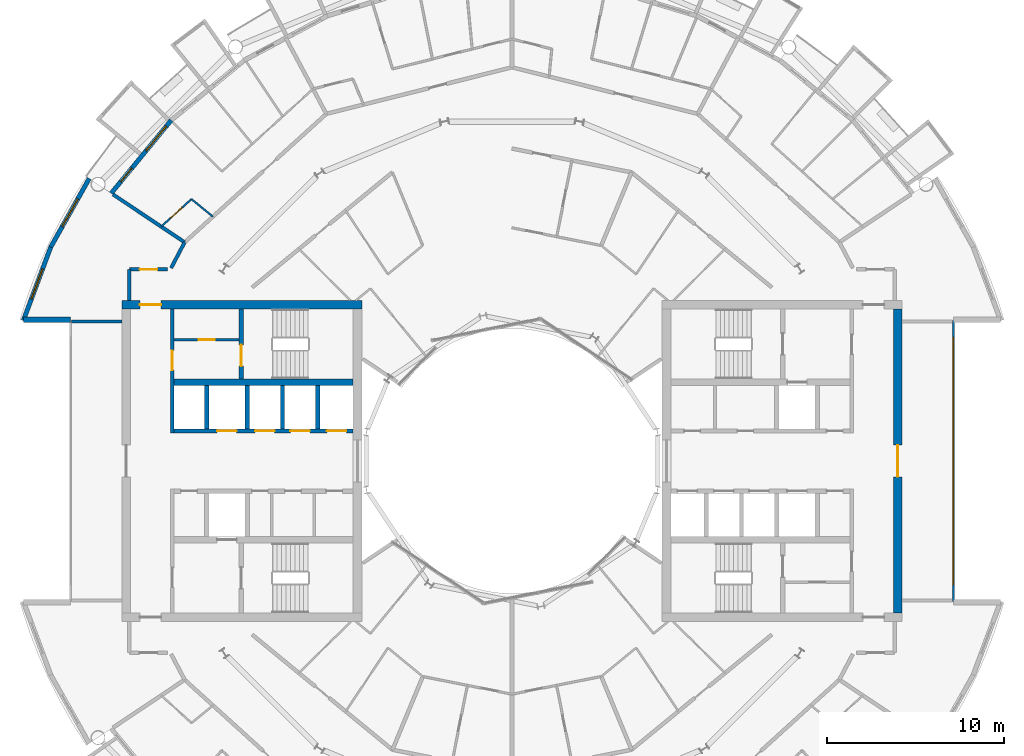
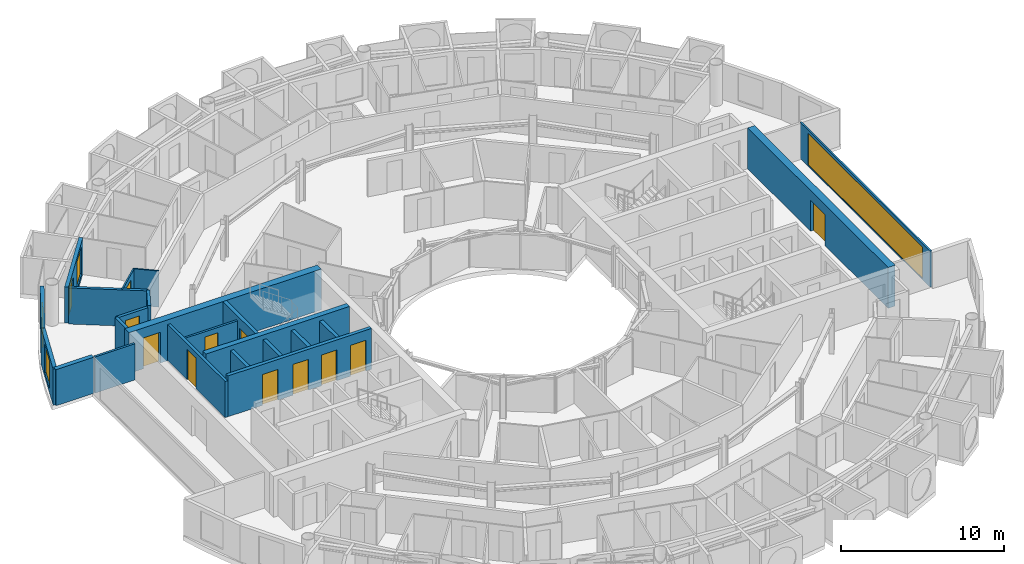
# One storey, part 19 of 26: 23 walls, 12 doors, 4 windows, 16 openings.
"""IFC4 building model written with IfcOpenShell, lengths in metres."""

from ifc_helpers import new_model, si_unit, direction, frame, frame_2d, origin, place, context, subcontext, project, spatial, rectangle, extrude, material, layer, layer_set, type_object, element, fill, save


model = new_model("IFC4")

# Units and contexts
model_context = context("Model", 3, precision=1e-05, world=origin(), true_north=direction((0.0, 1.0)))
body_context = subcontext(model_context, "Body", "Model", "MODEL_VIEW")
ifc_project = project(units=[si_unit("LENGTHUNIT", "METRE"), si_unit("AREAUNIT", "SQUARE_METRE"), si_unit("VOLUMEUNIT", "CUBIC_METRE"), si_unit("PLANEANGLEUNIT", "RADIAN"), si_unit("MASSUNIT", "GRAM", prefix="KILO")], contexts=[model_context])

# Site, building, storey
site_placement = place(None, origin())
site = spatial("IfcSite", under=ifc_project, at=site_placement, CompositionType="ELEMENT")
building_placement = place(site_placement, origin())
building = spatial("IfcBuilding", under=site, at=building_placement, Name="Maasbend Ring Residences", CompositionType="ELEMENT")
storey_placement = place(building_placement, frame((0.0, 0.0, 161.60009765625)))
storey = spatial("IfcBuildingStorey", under=building, at=storey_placement, Name="L46", CompositionType="ELEMENT", Elevation=161.60009765625)

# Wall, openings, doors
ifc_material_1 = material(Name="Concrete C60/75", Category="concrete")
ifc_layer_1 = layer(ifc_material_1, 0.25)
ifc_layer_set_1 = layer_set([ifc_layer_1], Name="Concrete C60/75")
wall_type_1 = type_object("IfcWallType", Name="CORE WALL 250 C60/75", PredefinedType="SHEAR", material=ifc_layer_set_1)
wall_1_placement = place(storey_placement, frame((-9.0, 1.699951171875, 0.0), z_axis=(0.0, 0.0, 1.0), x_axis=(-1.0, 0.0, 0.0)))
wall_1 = element("IfcWall", 1, at=wall_1_placement, inside=storey, type_object=wall_type_1, Name="L46 core W wall SPS", PredefinedType="SHEAR", context=body_context, shape_type="SweptSolid", body=[
    extrude(rectangle(XDim=10.14990234375, YDim=0.25, at=frame_2d((5.074951171875, 0.0))), origin(), (0.0, 0.0, 1.0), 3.0498046875),
])
opening_1_placement = place(wall_1_placement, frame((0.387451171875, 0.0, 0.0)))
opening_1 = element("IfcOpeningElement", 2, at=opening_1_placement, cuts=wall_1, Name="Opening LD-W4602", PredefinedType="OPENING", context=body_context, shape_type="SweptSolid", body=[
    extrude(rectangle(XDim=1.10009765625, YDim=2.300048828125, at=frame_2d((0.550048828125, 1.14990234375))), frame((0.0, 0.135009765625, 0.0), z_axis=(0.0, -1.0, 0.0), x_axis=(1.0, 0.0, 0.0)), (0.0, 0.0, 1.0), 0.27001953125),
])
opening_2_placement = place(wall_1_placement, frame((2.449951171875, 0.0, 0.0)))
opening_2 = element("IfcOpeningElement", 3, at=opening_2_placement, cuts=wall_1, Name="Opening LD-W4603", PredefinedType="OPENING", context=body_context, shape_type="SweptSolid", body=[
    extrude(rectangle(XDim=1.10009765625, YDim=2.300048828125, at=frame_2d((0.550048828125, 1.14990234375))), frame((0.0, 0.135009765625, 0.0), z_axis=(0.0, -1.0, 0.0), x_axis=(1.0, 0.0, 0.0)), (0.0, 0.0, 1.0), 0.27001953125),
])
opening_3_placement = place(wall_1_placement, frame((4.449951171875, 0.0, 0.0)))
opening_3 = element("IfcOpeningElement", 4, at=opening_3_placement, cuts=wall_1, Name="Opening LD-W4604", PredefinedType="OPENING", context=body_context, shape_type="SweptSolid", body=[
    extrude(rectangle(XDim=1.10009765625, YDim=2.300048828125, at=frame_2d((0.550048828125, 1.14990234375))), frame((0.0, 0.135009765625, 0.0), z_axis=(0.0, -1.0, 0.0), x_axis=(1.0, 0.0, 0.0)), (0.0, 0.0, 1.0), 0.27001953125),
])
opening_4_placement = place(wall_1_placement, frame((6.60009765625, 0.0, 0.0)))
opening_4 = element("IfcOpeningElement", 5, at=opening_4_placement, cuts=wall_1, Name="Opening LD-W4605", PredefinedType="OPENING", context=body_context, shape_type="SweptSolid", body=[
    extrude(rectangle(XDim=1.10009765625, YDim=2.300048828125, at=frame_2d((0.550048828125, 1.14990234375))), frame((0.0, 0.135009765625, 0.0), z_axis=(0.0, -1.0, 0.0), x_axis=(1.0, 0.0, 0.0)), (0.0, 0.0, 1.0), 0.27001953125),
])
ifc_material_2 = material(Name="Stainless steel 316", Category="steel")
door_type_1 = type_object("IfcDoorType", Name="LANDING DOOR 1100 X 2300 FD60", OperationType="DOUBLE_DOOR_SLIDING", PredefinedType="DOOR", material=ifc_material_2)
door_1_placement = place(opening_1_placement, origin())
door_1 = element("IfcDoor", 6, at=door_1_placement, inside=storey, type_object=door_type_1, Name="Landing door HR-W1 L46", OperationType="DOUBLE_DOOR_SLIDING", OverallHeight=2.300048828125, OverallWidth=1.10009765625, PredefinedType="DOOR", context=body_context, shape_type="SweptSolid", body=[
    extrude(rectangle(XDim=1.10009765625, YDim=2.300048828125, at=frame_2d((0.550048828125, 1.14990234375))), frame((0.0, 0.02490234375, 0.0), z_axis=(0.0, -1.0, 0.0), x_axis=(1.0, 0.0, 0.0)), (0.0, 0.0, 1.0), 0.050048828125),
])
fill(opening_1, door_1)
door_2_placement = place(opening_2_placement, origin())
door_2 = element("IfcDoor", 7, at=door_2_placement, inside=storey, type_object=door_type_1, Name="Landing door HR-W2 L46", OperationType="DOUBLE_DOOR_SLIDING", OverallHeight=2.300048828125, OverallWidth=1.10009765625, PredefinedType="DOOR", context=body_context, shape_type="SweptSolid", body=[
    extrude(rectangle(XDim=1.10009765625, YDim=2.300048828125, at=frame_2d((0.550048828125, 1.14990234375))), frame((0.0, 0.02490234375, 0.0), z_axis=(0.0, -1.0, 0.0), x_axis=(1.0, 0.0, 0.0)), (0.0, 0.0, 1.0), 0.050048828125),
])
fill(opening_2, door_2)
door_3_placement = place(opening_3_placement, origin())
door_3 = element("IfcDoor", 8, at=door_3_placement, inside=storey, type_object=door_type_1, Name="Landing door HR-W3 L46", OperationType="DOUBLE_DOOR_SLIDING", OverallHeight=2.300048828125, OverallWidth=1.10009765625, PredefinedType="DOOR", context=body_context, shape_type="SweptSolid", body=[
    extrude(rectangle(XDim=1.10009765625, YDim=2.300048828125, at=frame_2d((0.550048828125, 1.14990234375))), frame((0.0, 0.02490234375, 0.0), z_axis=(0.0, -1.0, 0.0), x_axis=(1.0, 0.0, 0.0)), (0.0, 0.0, 1.0), 0.050048828125),
])
fill(opening_3, door_3)
door_4_placement = place(opening_4_placement, origin())
door_4 = element("IfcDoor", 9, at=door_4_placement, inside=storey, type_object=door_type_1, Name="Landing door SV-W L46", OperationType="DOUBLE_DOOR_SLIDING", OverallHeight=2.300048828125, OverallWidth=1.10009765625, PredefinedType="DOOR", context=body_context, shape_type="SweptSolid", body=[
    extrude(rectangle(XDim=1.10009765625, YDim=2.300048828125, at=frame_2d((0.550048828125, 1.14990234375))), frame((0.0, 0.02490234375, 0.0), z_axis=(0.0, -1.0, 0.0), x_axis=(1.0, 0.0, 0.0)), (0.0, 0.0, 1.0), 0.050048828125),
])
fill(opening_4, door_4)

# Wall, opening, door
wall_2_placement = place(storey_placement, frame((-15.324951171875, 8.60009765625, 0.0), z_axis=(0.0, 0.0, 1.0), x_axis=(0.0, -1.0, 0.0)))
wall_2 = element("IfcWall", 10, at=wall_2_placement, inside=storey, type_object=wall_type_1, Name="L46 core W wall STES", PredefinedType="SHEAR", context=body_context, shape_type="SweptSolid", body=[
    extrude(rectangle(XDim=3.9501953125, YDim=0.25, at=frame_2d((1.97509765625, 0.0))), origin(), (0.0, 0.0, 1.0), 3.0498046875),
])
opening_5_placement = place(wall_2_placement, frame((2.02490234375, 0.0, 0.0)))
opening_5 = element("IfcOpeningElement", 11, at=opening_5_placement, cuts=wall_2, Name="Opening D-W4612", PredefinedType="OPENING", context=body_context, shape_type="SweptSolid", body=[
    extrude(rectangle(XDim=1.199951171875, YDim=2.300048828125, at=frame_2d((0.60009765625, 1.14990234375))), frame((0.0, 0.135009765625, 0.0), z_axis=(0.0, -1.0, 0.0), x_axis=(1.0, 0.0, 0.0)), (0.0, 0.0, 1.0), 0.27001953125),
])
ifc_material_3 = material(Name="Steel, powder coated", Category="steel")
door_type_2 = type_object("IfcDoorType", Name="STAIR DOOR 1200 X 2300 FD60", OperationType="NOTDEFINED", PredefinedType="DOOR", material=ifc_material_3)
door_5_placement = place(opening_5_placement, origin())
door_5 = element("IfcDoor", 12, at=door_5_placement, inside=storey, type_object=door_type_2, Name="Stair door ST-W L46", OperationType="SINGLE_SWING_LEFT", OverallHeight=2.300048828125, OverallWidth=1.199951171875, PredefinedType="DOOR", context=body_context, shape_type="SweptSolid", body=[
    extrude(rectangle(XDim=1.199951171875, YDim=2.300048828125, at=frame_2d((0.60009765625, 1.14990234375))), frame((0.0, 0.02490234375, 0.0), z_axis=(0.0, -1.0, 0.0), x_axis=(1.0, 0.0, 0.0)), (0.0, 0.0, 1.0), 0.050048828125),
])
fill(opening_5, door_5)

# Wall
ifc_material_4 = material(Name="Concrete C60/75", Category="concrete")
ifc_layer_2 = layer(ifc_material_4, 0.375)
ifc_layer_set_2 = layer_set([ifc_layer_2], Name="Concrete C60/75")
wall_type_2 = type_object("IfcWallType", Name="CORE WALL 375 C60/75", PredefinedType="SHEAR", material=ifc_layer_set_2)
wall_3_placement = place(storey_placement, frame((-9.0, 4.46240234375, 0.0), z_axis=(0.0, 0.0, 1.0), x_axis=(-1.0, 0.0, 0.0)))
element("IfcWall", 13, at=wall_3_placement, inside=storey, type_object=wall_type_2, Name="L46 core W wall BS", PredefinedType="SHEAR", context=body_context, shape_type="SweptSolid", body=[
    extrude(rectangle(XDim=10.14990234375, YDim=0.375, at=frame_2d((5.074951171875, 0.0))), origin(), (0.0, 0.0, 1.0), 3.0498046875),
])

# Wall, opening, door
ifc_material_5 = material(Name="Concrete C60/75", Category="concrete")
ifc_layer_3 = layer(ifc_material_5, 0.5)
ifc_layer_set_3 = layer_set([ifc_layer_3], Name="Concrete C60/75")
wall_type_3 = type_object("IfcWallType", Name="CORE WALL 500 C60/75", PredefinedType="SHEAR", material=ifc_layer_set_3)
wall_4_placement = place(storey_placement, frame((21.85009765625, 8.60009765625, 0.0), z_axis=(0.0, 0.0, 1.0), x_axis=(0.0, -1.0, 0.0)))
wall_4 = element("IfcWall", 14, at=wall_4_placement, inside=storey, type_object=wall_type_3, Name="L46 core E wall POUT", PredefinedType="SHEAR", context=body_context, shape_type="SweptSolid", body=[
    extrude(rectangle(XDim=17.2001953125, YDim=0.5, at=frame_2d((8.60009765625, 0.0))), origin(), (0.0, 0.0, 1.0), 3.0498046875),
])
opening_6_placement = place(wall_4_placement, frame((7.699951171875, 0.0, 0.0)))
opening_6 = element("IfcOpeningElement", 15, at=opening_6_placement, cuts=wall_4, Name="Opening D-E4617", PredefinedType="OPENING", context=body_context, shape_type="SweptSolid", body=[
    extrude(rectangle(XDim=1.800048828125, YDim=2.300048828125, at=frame_2d((0.89990234375, 1.14990234375))), frame((0.0, 0.260009765625, 0.0), z_axis=(0.0, -1.0, 0.0), x_axis=(1.0, 0.0, 0.0)), (0.0, 0.0, 1.0), 0.52001953125),
])
ifc_material_6 = material(Name="Aluminium frame, clear glass", Category="aluminium")
door_type_3 = type_object("IfcDoorType", Name="ENTRANCE DOOR 1800 X 2300 FD60", OperationType="NOTDEFINED", PredefinedType="DOOR", material=ifc_material_6)
door_6_placement = place(opening_6_placement, origin())
door_6 = element("IfcDoor", 16, at=door_6_placement, inside=storey, type_object=door_type_3, Name="Lobby glazed door L46", OperationType="SINGLE_SWING_LEFT", OverallHeight=2.300048828125, OverallWidth=1.800048828125, PredefinedType="DOOR", context=body_context, shape_type="SweptSolid", body=[
    extrude(rectangle(XDim=1.800048828125, YDim=2.300048828125, at=frame_2d((0.89990234375, 1.14990234375))), frame((0.0, 0.02490234375, 0.0), z_axis=(0.0, -1.0, 0.0), x_axis=(1.0, 0.0, 0.0)), (0.0, 0.0, 1.0), 0.050048828125),
])
fill(opening_6, door_6)

wall_5_placement = place(storey_placement, frame((-8.5, 8.85009765625, 0.0), z_axis=(0.0, 0.0, 1.0), x_axis=(-1.0, 0.0, 0.0)))
wall_5 = element("IfcWall", 17, at=wall_5_placement, inside=storey, type_object=wall_type_3, Name="L46 core W wall PS", PredefinedType="SHEAR", context=body_context, shape_type="SweptSolid", body=[
    extrude(rectangle(XDim=13.60009765625, YDim=0.5, at=frame_2d((6.800048828125, 0.0))), origin(), (0.0, 0.0, 1.0), 3.0498046875),
])
opening_7_placement = place(wall_5_placement, frame((11.375, 0.0, 0.0)))
opening_7 = element("IfcOpeningElement", 18, at=opening_7_placement, cuts=wall_5, Name="Opening D-W4616", PredefinedType="OPENING", context=body_context, shape_type="SweptSolid", body=[
    extrude(rectangle(XDim=1.199951171875, YDim=2.300048828125, at=frame_2d((0.60009765625, 1.14990234375))), frame((0.0, 0.260009765625, 0.0), z_axis=(0.0, -1.0, 0.0), x_axis=(1.0, 0.0, 0.0)), (0.0, 0.0, 1.0), 0.52001953125),
])
ifc_material_7 = material(Name="Steel, powder coated", Category="steel")
door_type_4 = type_object("IfcDoorType", Name="CORRIDOR DOOR 1200 X 2300 FD30S", OperationType="NOTDEFINED", PredefinedType="DOOR", material=ifc_material_7)
door_7_placement = place(opening_7_placement, origin())
door_7 = element("IfcDoor", 19, at=door_7_placement, inside=storey, type_object=door_type_4, Name="Corridor door L46", OperationType="SINGLE_SWING_LEFT", OverallHeight=2.300048828125, OverallWidth=1.199951171875, PredefinedType="DOOR", context=body_context, shape_type="SweptSolid", body=[
    extrude(rectangle(XDim=1.199951171875, YDim=2.300048828125, at=frame_2d((0.60009765625, 1.14990234375))), frame((0.0, 0.02490234375, 0.0), z_axis=(0.0, -1.0, 0.0), x_axis=(1.0, 0.0, 0.0)), (0.0, 0.0, 1.0), 0.050048828125),
])
fill(opening_7, door_7)

ifc_material_8 = material(Name="Concrete C30/37", Category="concrete")
ifc_layer_4 = layer(ifc_material_8, 0.199951171875)
ifc_layer_set_4 = layer_set([ifc_layer_4], Name="Concrete C30/37")
wall_type_4 = type_object("IfcWallType", Name="CORRIDOR WALL 200 CONCRETE", PredefinedType="PARTITIONING", material=ifc_layer_set_4)
wall_6_placement = place(storey_placement, frame((-21.675048828125, 10.85009765625, 0.0), z_axis=(0.0, 0.0, 1.0), x_axis=(1.0, 0.0, 0.0)))
wall_6 = element("IfcWall", 20, at=wall_6_placement, inside=storey, type_object=wall_type_4, Name="U-L46-w094", PredefinedType="PARTITIONING", context=body_context, shape_type="SweptSolid", body=[
    extrude(rectangle(XDim=2.171142578125, YDim=0.199951171875, at=frame_2d((1.08544921875, 0.0))), origin(), (0.0, 0.0, 1.0), 2.699951171875),
])
opening_8_placement = place(wall_6_placement, frame((0.5849609375, 0.0, 0.0)))
opening_8 = element("IfcOpeningElement", 21, at=opening_8_placement, cuts=wall_6, Name="Opening D-4667", PredefinedType="OPENING", context=body_context, shape_type="SweptSolid", body=[
    extrude(rectangle(XDim=1.0, YDim=2.300048828125, at=frame_2d((0.5, 1.14990234375))), frame((0.0, 0.10986328125, 0.0), z_axis=(0.0, -1.0, 0.0), x_axis=(1.0, 0.0, 0.0)), (0.0, 0.0, 1.0), 0.219970703125),
])
ifc_material_9 = material(Name="Timber, painted", Category="wood")
door_type_5 = type_object("IfcDoorType", Name="ROOM DOOR 1000 X 2300", OperationType="NOTDEFINED", PredefinedType="DOOR", material=ifc_material_9)
door_8_placement = place(opening_8_placement, origin())
door_8 = element("IfcDoor", 22, at=door_8_placement, inside=storey, type_object=door_type_5, Name="D-4667", OperationType="SINGLE_SWING_LEFT", OverallHeight=2.300048828125, OverallWidth=1.0, PredefinedType="DOOR", context=body_context, shape_type="SweptSolid", body=[
    extrude(rectangle(XDim=1.0, YDim=2.300048828125, at=frame_2d((0.5, 1.14990234375))), frame((0.0, 0.02490234375, 0.0), z_axis=(0.0, -1.0, 0.0), x_axis=(1.0, 0.0, 0.0)), (0.0, 0.0, 1.0), 0.050048828125),
])
fill(opening_8, door_8)

# Walls
wall_7_placement = place(storey_placement, frame((-21.675048828125, 9.10009765625, 0.0), z_axis=(0.0, 0.0, 1.0), x_axis=(0.0, 1.0, 0.0)))
element("IfcWall", 23, at=wall_7_placement, inside=storey, type_object=wall_type_4, Name="U-L46-w109", PredefinedType="PARTITIONING", context=body_context, shape_type="SweptSolid", body=[
    extrude(rectangle(XDim=1.75, YDim=0.199951171875, at=frame_2d((0.875, 0.0))), origin(), (0.0, 0.0, 1.0), 2.699951171875),
])
wall_8_placement = place(storey_placement, frame((-19.306884765625, 10.93505859375, 0.0), z_axis=(0.0, 0.0, 1.0), x_axis=(0.465605550524, 0.884992356646, 0.0)))
element("IfcWall", 24, at=wall_8_placement, inside=storey, type_object=wall_type_4, Name="U-L46-w110", PredefinedType="PARTITIONING", context=body_context, shape_type="SweptSolid", body=[
    extrude(rectangle(XDim=1.642822265625, YDim=0.199951171875, at=frame_2d((0.8212890625, 0.0))), origin(), (0.0, 0.0, 1.0), 2.699951171875),
])

# Wall, openings, door, window
ifc_material_10 = material(Name="Aluminium clad insulated panel", Category="aluminium")
ifc_layer_5 = layer(ifc_material_10, 0.25)
ifc_layer_set_5 = layer_set([ifc_layer_5], Name="EW-GL")
wall_type_5 = type_object("IfcWallType", Name="EW-GL", PredefinedType="SOLIDWALL", material=ifc_layer_set_5)
wall_9_placement = place(storey_placement, frame((-19.303955078125, 19.303955078125, 0.0), z_axis=(0.0, 0.0, 1.0), x_axis=(-0.634382322723, -0.773019449054, 0.0)))
wall_9 = element("IfcWall", 25, at=wall_9_placement, inside=storey, type_object=wall_type_5, Name="External wall N10", PredefinedType="SOLIDWALL", context=body_context, shape_type="SweptSolid", body=[
    extrude(rectangle(XDim=5.351806640625, YDim=0.25, at=frame_2d((2.67578125, 0.0))), origin(), (0.0, 0.0, 1.0), 2.699951171875),
])
opening_9_placement = place(wall_9_placement, frame((0.441162109375, 0.0, 0.300048828125)))
opening_9 = element("IfcOpeningElement", 26, at=opening_9_placement, cuts=wall_9, Name="Opening W-BX", PredefinedType="OPENING", context=body_context, shape_type="SweptSolid", body=[
    extrude(rectangle(XDim=1.800048828125, YDim=2.10009765625, at=frame_2d((0.89990234375, 1.050048828125))), frame((0.0, 0.135009765625, 0.0), z_axis=(0.0, -1.0, 0.0), x_axis=(1.0, 0.0, 0.0)), (0.0, 0.0, 1.0), 0.27001953125),
])
opening_10_placement = place(wall_9_placement, frame((3.510498046875, 0.0, 0.0)))
opening_10 = element("IfcOpeningElement", 27, at=opening_10_placement, cuts=wall_9, Name="Opening D-LG", PredefinedType="OPENING", context=body_context, shape_type="SweptSolid", body=[
    extrude(rectangle(XDim=1.0, YDim=2.199951171875, at=frame_2d((0.5, 1.10009765625))), frame((0.0, 0.135009765625, 0.0), z_axis=(0.0, -1.0, 0.0), x_axis=(1.0, 0.0, 0.0)), (0.0, 0.0, 1.0), 0.27001953125),
])
ifc_material_11 = material(Name="Aluminium and clear glass", Category="aluminium")
door_type_6 = type_object("IfcDoorType", Name="D-LG", OperationType="SINGLE_SWING_LEFT", PredefinedType="DOOR", material=ifc_material_11)
door_9_placement = place(opening_10_placement, origin())
door_9 = element("IfcDoor", 28, at=door_9_placement, inside=storey, type_object=door_type_6, Name="Loggia door N20", OperationType="SINGLE_SWING_LEFT", OverallHeight=2.199951171875, OverallWidth=1.0, PredefinedType="DOOR", context=body_context, shape_type="SweptSolid", body=[
    extrude(rectangle(XDim=1.0, YDim=2.199951171875, at=frame_2d((0.5, 1.10009765625))), frame((0.0, 0.02490234375, 0.0), z_axis=(0.0, -1.0, 0.0), x_axis=(1.0, 0.0, 0.0)), (0.0, 0.0, 1.0), 0.050048828125),
])
fill(opening_10, door_9)
ifc_material_12 = material(Name="Aluminium and clear glass", Category="aluminium")
window_type_1 = type_object("IfcWindowType", Name="W-BX", PartitioningType="DOUBLE_PANEL_VERTICAL", PredefinedType="WINDOW", material=ifc_material_12)
window_1_placement = place(opening_9_placement, origin())
window_1 = element("IfcWindow", 29, at=window_1_placement, inside=storey, type_object=window_type_1, Name="Window N19 room to box", OverallHeight=2.10009765625, OverallWidth=1.800048828125, PartitioningType="SINGLE_PANEL", PredefinedType="WINDOW", context=body_context, shape_type="SweptSolid", body=[
    extrude(rectangle(XDim=1.800048828125, YDim=2.10009765625, at=frame_2d((0.89990234375, 1.050048828125))), frame((0.0, 0.030029296875, 0.0), z_axis=(0.0, -1.0, 0.0), x_axis=(1.0, 0.0, 0.0)), (0.0, 0.0, 1.0), 0.06005859375),
])
fill(opening_9, window_1)

# Wall, opening, window
ifc_material_13 = material(Name="Aluminium clad insulated panel", Category="aluminium")
ifc_layer_6 = layer(ifc_material_13, 0.25)
ifc_layer_set_6 = layer_set([ifc_layer_6], Name="EW-HORN")
wall_type_6 = type_object("IfcWallType", Name="EW-HORN", PredefinedType="SOLIDWALL", material=ifc_layer_set_6)
wall_10_placement = place(storey_placement, frame((-23.946044921875, 16.0, 0.0), z_axis=(0.0, 0.0, 1.0), x_axis=(-0.489696356642, -0.871893042919, 0.0)))
wall_10 = element("IfcWall", 30, at=wall_10_placement, inside=storey, type_object=wall_type_6, Name="Horn wall 4.1", PredefinedType="SOLIDWALL", context=body_context, shape_type="SweptSolid", body=[
    extrude(rectangle(XDim=4.45361328125, YDim=0.25, at=frame_2d((2.226806640625, 0.0))), origin(), (0.0, 0.0, 1.0), 2.699951171875),
])
opening_11_placement = place(wall_10_placement, frame((1.32666015625, 0.0, 0.300048828125)))
opening_11 = element("IfcOpeningElement", 31, at=opening_11_placement, cuts=wall_10, Name="Opening W-BX", PredefinedType="OPENING", context=body_context, shape_type="SweptSolid", body=[
    extrude(rectangle(XDim=1.800048828125, YDim=2.10009765625, at=frame_2d((0.89990234375, 1.050048828125))), frame((0.0, 0.135009765625, 0.0), z_axis=(0.0, -1.0, 0.0), x_axis=(1.0, 0.0, 0.0)), (0.0, 0.0, 1.0), 0.27001953125),
])
window_2_placement = place(opening_11_placement, origin())
window_2 = element("IfcWindow", 32, at=window_2_placement, inside=storey, type_object=window_type_1, Name="Horn window 4.1", OverallHeight=2.10009765625, OverallWidth=1.800048828125, PartitioningType="SINGLE_PANEL", PredefinedType="WINDOW", context=body_context, shape_type="SweptSolid", body=[
    extrude(rectangle(XDim=1.800048828125, YDim=2.10009765625, at=frame_2d((0.89990234375, 1.050048828125))), frame((0.0, 0.030029296875, 0.0), z_axis=(0.0, -1.0, 0.0), x_axis=(1.0, 0.0, 0.0)), (0.0, 0.0, 1.0), 0.06005859375),
])
fill(opening_11, window_2)

wall_11_placement = place(storey_placement, frame((-26.126953125, 12.116943359375, 0.0), z_axis=(0.0, 0.0, 1.0), x_axis=(-0.349247811493, -0.937030397675, 0.0)))
wall_11 = element("IfcWall", 33, at=wall_11_placement, inside=storey, type_object=wall_type_6, Name="Horn wall 4.2", PredefinedType="SOLIDWALL", context=body_context, shape_type="SweptSolid", body=[
    extrude(rectangle(XDim=4.4521484375, YDim=0.25, at=frame_2d((2.22607421875, 0.0))), origin(), (0.0, 0.0, 1.0), 2.699951171875),
])
opening_12_placement = place(wall_11_placement, frame((1.32666015625, 0.0, 0.300048828125)))
opening_12 = element("IfcOpeningElement", 34, at=opening_12_placement, cuts=wall_11, Name="Opening W-BX", PredefinedType="OPENING", context=body_context, shape_type="SweptSolid", body=[
    extrude(rectangle(XDim=1.800048828125, YDim=2.10009765625, at=frame_2d((0.89990234375, 1.050048828125))), frame((0.0, 0.135009765625, 0.0), z_axis=(0.0, -1.0, 0.0), x_axis=(1.0, 0.0, 0.0)), (0.0, 0.0, 1.0), 0.27001953125),
])
window_3_placement = place(opening_12_placement, origin())
window_3 = element("IfcWindow", 35, at=window_3_placement, inside=storey, type_object=window_type_1, Name="Horn window 4.2", OverallHeight=2.10009765625, OverallWidth=1.800048828125, PartitioningType="SINGLE_PANEL", PredefinedType="WINDOW", context=body_context, shape_type="SweptSolid", body=[
    extrude(rectangle(XDim=1.800048828125, YDim=2.10009765625, at=frame_2d((0.89990234375, 1.050048828125))), frame((0.0, 0.030029296875, 0.0), z_axis=(0.0, -1.0, 0.0), x_axis=(1.0, 0.0, 0.0)), (0.0, 0.0, 1.0), 0.06005859375),
])
fill(opening_12, window_3)

# Wall
ifc_material_14 = material(Name="Aluminium clad insulated panel", Category="aluminium")
ifc_layer_7 = layer(ifc_material_14, 0.300048828125)
ifc_layer_set_7 = layer_set([ifc_layer_7], Name="EW-RET")
wall_type_7 = type_object("IfcWallType", Name="EW-RET", PredefinedType="SOLIDWALL", material=ifc_layer_set_7)
wall_12_placement = place(storey_placement, frame((-25.0, 8.0, 0.0), z_axis=(0.0, 0.0, 1.0), x_axis=(-1.0, 0.0, 0.0)))
element("IfcWall", 36, at=wall_12_placement, inside=storey, type_object=wall_type_7, Name="Notch return wall west north", PredefinedType="SOLIDWALL", context=body_context, shape_type="SweptSolid", body=[
    extrude(rectangle(XDim=2.6669921875, YDim=0.300048828125, at=frame_2d((1.33349609375, 0.0))), origin(), (0.0, 0.0, 1.0), 2.699951171875),
])

# Wall, opening, window
ifc_material_15 = material(Name="Aluminium frame and clear glass", Category="aluminium")
ifc_layer_8 = layer(ifc_material_15, 0.1201171875)
ifc_layer_set_8 = layer_set([ifc_layer_8], Name="GLAZED SCREEN WALL 120 EI 60")
wall_type_8 = type_object("IfcWallType", Name="GLAZED SCREEN WALL 120 EI 60", PredefinedType="PARTITIONING", material=ifc_layer_set_8)
wall_13_placement = place(storey_placement, frame((25.0, -7.949951171875, 0.0), z_axis=(0.0, 0.0, 1.0), x_axis=(0.0, 1.0, 0.0)))
wall_13 = element("IfcWall", 37, at=wall_13_placement, inside=storey, type_object=wall_type_8, Name="L46 core E wall FACE", PredefinedType="PARTITIONING", context=body_context, shape_type="SweptSolid", body=[
    extrude(rectangle(XDim=15.89990234375, YDim=0.1201171875, at=frame_2d((7.949951171875, 0.0))), origin(), (0.0, 0.0, 1.0), 2.699951171875),
])
opening_13_placement = place(wall_13_placement, frame((0.949951171875, 0.0, 0.10009765625)))
opening_13 = element("IfcOpeningElement", 38, at=opening_13_placement, cuts=wall_13, Name="Opening W-E4602", PredefinedType="OPENING", context=body_context, shape_type="SweptSolid", body=[
    extrude(rectangle(XDim=14.0, YDim=2.35009765625, at=frame_2d((7.0, 1.175048828125))), frame((0.0, 0.070068359375, 0.0), z_axis=(0.0, -1.0, 0.0), x_axis=(1.0, 0.0, 0.0)), (0.0, 0.0, 1.0), 0.14013671875),
])
ifc_material_16 = material(Name="Aluminium frame and clear glass", Category="aluminium")
window_type_2 = type_object("IfcWindowType", Name="FIXED WINDOW 14000 X 2350", PartitioningType="SINGLE_PANEL", PredefinedType="WINDOW", material=ifc_material_16)
window_4_placement = place(opening_13_placement, origin())
window_4 = element("IfcWindow", 39, at=window_4_placement, inside=storey, type_object=window_type_2, Name="Lobby window L46", OverallHeight=2.35009765625, OverallWidth=14.0, PartitioningType="SINGLE_PANEL", PredefinedType="WINDOW", context=body_context, shape_type="SweptSolid", body=[
    extrude(rectangle(XDim=14.0, YDim=2.35009765625, at=frame_2d((7.0, 1.175048828125))), frame((0.0, 0.030029296875, 0.0), z_axis=(0.0, -1.0, 0.0), x_axis=(1.0, 0.0, 0.0)), (0.0, 0.0, 1.0), 0.06005859375),
])
fill(opening_13, window_4)

# Wall
ifc_material_17 = material(Name="Gypsum board on steel studs", Category="steel")
ifc_layer_9 = layer(ifc_material_17, 0.10009765625)
ifc_layer_set_9 = layer_set([ifc_layer_9], Name="PARTITION 100 GYPSUM")
wall_type_9 = type_object("IfcWallType", Name="PARTITION 100 GYPSUM", PredefinedType="PARTITIONING", material=ifc_layer_set_9)
wall_14_placement = place(storey_placement, frame((-18.154052734375, 14.833984375, 0.0), z_axis=(0.0, 0.0, 1.0), x_axis=(0.774345345452, -0.632763214779, 0.0)))
element("IfcWall", 40, at=wall_14_placement, inside=storey, type_object=wall_type_9, Name="U-L46-w036", PredefinedType="PARTITIONING", context=body_context, shape_type="SweptSolid", body=[
    extrude(rectangle(XDim=1.569091796875, YDim=0.10009765625, at=frame_2d((0.78466796875, 0.0))), origin(), (0.0, 0.0, 1.0), 2.699951171875),
])

# Wall, opening, door
wall_15_placement = place(storey_placement, frame((-19.87109375, 13.280029296875, 0.0), z_axis=(0.0, 0.0, 1.0), x_axis=(0.741127434804, 0.671364376014, 0.0)))
wall_15 = element("IfcWall", 41, at=wall_15_placement, inside=storey, type_object=wall_type_9, Name="U-L46-w112", PredefinedType="PARTITIONING", context=body_context, shape_type="SweptSolid", body=[
    extrude(rectangle(XDim=2.32373046875, YDim=0.10009765625, at=frame_2d((1.161865234375, 0.0))), origin(), (0.0, 0.0, 1.0), 2.699951171875),
])
opening_14_placement = place(wall_15_placement, frame((0.708984375, 0.0, 0.0)))
opening_14 = element("IfcOpeningElement", 42, at=opening_14_placement, cuts=wall_15, Name="Opening D-4617", PredefinedType="OPENING", context=body_context, shape_type="SweptSolid", body=[
    extrude(rectangle(XDim=0.89990234375, YDim=2.300048828125, at=frame_2d((0.449951171875, 1.14990234375))), frame((0.0, 0.06005859375, 0.0), z_axis=(0.0, -1.0, 0.0), x_axis=(1.0, 0.0, 0.0)), (0.0, 0.0, 1.0), 0.1201171875),
])
ifc_material_18 = material(Name="Timber, painted", Category="wood")
door_type_7 = type_object("IfcDoorType", Name="INTERNAL DOOR 900 X 2300", OperationType="NOTDEFINED", PredefinedType="DOOR", material=ifc_material_18)
door_10_placement = place(opening_14_placement, origin())
door_10 = element("IfcDoor", 43, at=door_10_placement, inside=storey, type_object=door_type_7, Name="D-4617", OperationType="SINGLE_SWING_LEFT", OverallHeight=2.300048828125, OverallWidth=0.89990234375, PredefinedType="DOOR", context=body_context, shape_type="SweptSolid", body=[
    extrude(rectangle(XDim=0.89990234375, YDim=2.300048828125, at=frame_2d((0.449951171875, 1.14990234375))), frame((0.0, 0.02490234375, 0.0), z_axis=(0.0, -1.0, 0.0), x_axis=(1.0, 0.0, 0.0)), (0.0, 0.0, 1.0), 0.050048828125),
])
fill(opening_14, door_10)

ifc_material_19 = material(Name="Gypsum board on steel studs", Category="steel")
ifc_layer_10 = layer(ifc_material_19, 0.14990234375)
ifc_layer_set_10 = layer_set([ifc_layer_10], Name="PARTITION 150 EI 60")
wall_type_10 = type_object("IfcWallType", Name="PARTITION 150 EI 60", PredefinedType="PARTITIONING", material=ifc_layer_set_10)
wall_16_placement = place(storey_placement, frame((-15.449951171875, 6.875, 0.0), z_axis=(0.0, 0.0, 1.0), x_axis=(-1.0, 0.0, 0.0)))
wall_16 = element("IfcWall", 44, at=wall_16_placement, inside=storey, type_object=wall_type_10, Name="L46 core W wall RHS", PredefinedType="PARTITIONING", context=body_context, shape_type="SweptSolid", body=[
    extrude(rectangle(XDim=3.699951171875, YDim=0.14990234375, at=frame_2d((1.85009765625, 0.0))), origin(), (0.0, 0.0, 1.0), 2.699951171875),
])
opening_15_placement = place(wall_16_placement, frame((1.39990234375, 0.0, 0.0)))
opening_15 = element("IfcOpeningElement", 45, at=opening_15_placement, cuts=wall_16, Name="Opening D-W4610", PredefinedType="OPENING", context=body_context, shape_type="SweptSolid", body=[
    extrude(rectangle(XDim=0.89990234375, YDim=2.300048828125, at=frame_2d((0.449951171875, 1.14990234375))), frame((0.0, 0.0849609375, 0.0), z_axis=(0.0, -1.0, 0.0), x_axis=(1.0, 0.0, 0.0)), (0.0, 0.0, 1.0), 0.169921875),
])
ifc_material_20 = material(Name="Steel, powder coated", Category="steel")
door_type_8 = type_object("IfcDoorType", Name="RISER DOOR 900 X 2300 FD60", OperationType="NOTDEFINED", PredefinedType="DOOR", material=ifc_material_20)
door_11_placement = place(opening_15_placement, origin())
door_11 = element("IfcDoor", 46, at=door_11_placement, inside=storey, type_object=door_type_8, Name="Riser door L46", OperationType="SINGLE_SWING_LEFT", OverallHeight=2.300048828125, OverallWidth=0.89990234375, PredefinedType="DOOR", context=body_context, shape_type="SweptSolid", body=[
    extrude(rectangle(XDim=0.89990234375, YDim=2.300048828125, at=frame_2d((0.449951171875, 1.14990234375))), frame((0.0, 0.02490234375, 0.0), z_axis=(0.0, -1.0, 0.0), x_axis=(1.0, 0.0, 0.0)), (0.0, 0.0, 1.0), 0.050048828125),
])
fill(opening_15, door_11)

# Walls
wall_17_placement = place(storey_placement, frame((-22.10009765625, 7.89990234375, 0.0), z_axis=(0.0, 0.0, 1.0), x_axis=(-1.0, 0.0, 0.0)))
element("IfcWall", 47, at=wall_17_placement, inside=storey, type_object=wall_type_10, Name="L46 core W wall CITS", PredefinedType="PARTITIONING", context=body_context, shape_type="SweptSolid", body=[
    extrude(rectangle(XDim=2.83984375, YDim=0.14990234375, at=frame_2d((1.419921875, 0.0))), origin(), (0.0, 0.0, 1.0), 2.699951171875),
])
ifc_material_21 = material(Name="Concrete C30/37", Category="concrete")
ifc_layer_11 = layer(ifc_material_21, 0.199951171875)
ifc_layer_set_11 = layer_set([ifc_layer_11], Name="Concrete C30/37")
wall_type_11 = type_object("IfcWallType", Name="PARTY WALL 200 CONCRETE", PredefinedType="PARTITIONING", material=ifc_layer_set_11)
wall_18_placement = place(storey_placement, frame((-22.594970703125, 15.097900390625, 0.0), z_axis=(0.0, 0.0, 1.0), x_axis=(0.831387096605, -0.55569370664, 0.0)))
element("IfcWall", 48, at=wall_18_placement, inside=storey, type_object=wall_type_11, Name="U-L46-w033", PredefinedType="PARTITIONING", context=body_context, shape_type="SweptSolid", body=[
    extrude(rectangle(XDim=4.875, YDim=0.199951171875, at=frame_2d((2.4375, 0.0))), origin(), (0.0, 0.0, 1.0), 2.699951171875),
])

# Wall, opening, door
ifc_material_22 = material(Name="Concrete C30/37", Category="concrete")
ifc_layer_12 = layer(ifc_material_22, 0.199951171875)
ifc_layer_set_12 = layer_set([ifc_layer_12], Name="Concrete C30/37")
wall_type_12 = type_object("IfcWallType", Name="SHAFT WALL 200 EI 120", PredefinedType="SOLIDWALL", material=ifc_layer_set_12)
wall_19_placement = place(storey_placement, frame((-19.25, 8.60009765625, 0.0), z_axis=(0.0, 0.0, 1.0), x_axis=(0.0, -1.0, 0.0)))
wall_19 = element("IfcWall", 49, at=wall_19_placement, inside=storey, type_object=wall_type_12, Name="L46 core W wall ENDS", PredefinedType="SOLIDWALL", context=body_context, shape_type="SweptSolid", body=[
    extrude(rectangle(XDim=7.025146484375, YDim=0.199951171875, at=frame_2d((3.5126953125, 0.0))), origin(), (0.0, 0.0, 1.0), 2.699951171875),
])
opening_16_placement = place(wall_19_placement, frame((2.35009765625, 0.0, 0.0)))
opening_16 = element("IfcOpeningElement", 50, at=opening_16_placement, cuts=wall_19, Name="Opening D-W4614", PredefinedType="OPENING", context=body_context, shape_type="SweptSolid", body=[
    extrude(rectangle(XDim=1.10009765625, YDim=2.300048828125, at=frame_2d((0.550048828125, 1.14990234375))), frame((0.0, 0.10986328125, 0.0), z_axis=(0.0, -1.0, 0.0), x_axis=(1.0, 0.0, 0.0)), (0.0, 0.0, 1.0), 0.219970703125),
])
ifc_material_23 = material(Name="Steel, powder coated", Category="steel")
door_type_9 = type_object("IfcDoorType", Name="LOBBY DOOR 1100 X 2300 FD60", OperationType="NOTDEFINED", PredefinedType="DOOR", material=ifc_material_23)
door_12_placement = place(opening_16_placement, origin())
door_12 = element("IfcDoor", 51, at=door_12_placement, inside=storey, type_object=door_type_9, Name="Lobby door L46", OperationType="SINGLE_SWING_RIGHT", OverallHeight=2.300048828125, OverallWidth=1.10009765625, PredefinedType="DOOR", context=body_context, shape_type="SweptSolid", body=[
    extrude(rectangle(XDim=1.10009765625, YDim=2.300048828125, at=frame_2d((0.550048828125, 1.14990234375))), frame((0.0, 0.02490234375, 0.0), z_axis=(0.0, -1.0, 0.0), x_axis=(1.0, 0.0, 0.0)), (0.0, 0.0, 1.0), 0.050048828125),
])
fill(opening_16, door_12)

# Walls
ifc_material_24 = material(Name="Concrete C30/37", Category="concrete")
ifc_layer_13 = layer(ifc_material_24, 0.25)
ifc_layer_set_13 = layer_set([ifc_layer_13], Name="Concrete C30/37")
wall_type_13 = type_object("IfcWallType", Name="SHAFT WALL 250 EI 120", PredefinedType="SOLIDWALL", material=ifc_layer_set_13)
for number, where, z_axis, x_axis, name in (
    (52, (-15.0, 1.824951171875, 0.0), (0.0, 0.0, 1.0), (0.0, 1.0, 0.0), "L46 core W wall D150S"),
    (53, (-17.300048828125, 1.824951171875, 0.0), (0.0, 0.0, 1.0), (0.0, 1.0, 0.0), "L46 core W wall D173S"),
    (54, (-11.0, 1.824951171875, 0.0), (0.0, 0.0, 1.0), (0.0, 1.0, 0.0), "L46 core W wall D110S"),
    (55, (-13.0, 1.824951171875, 0.0), (0.0, 0.0, 1.0), (0.0, 1.0, 0.0), "L46 core W wall D130S"),
):
    element("IfcWall", number, at=place(storey_placement, frame(where, z_axis=z_axis, x_axis=x_axis)), inside=storey, type_object=wall_type_13, Name=name, PredefinedType="SOLIDWALL", context=body_context, shape_type="SweptSolid", body=[
        extrude(rectangle(XDim=2.449951171875, YDim=0.25, at=frame_2d((1.22509765625, 0.0))), origin(), (0.0, 0.0, 1.0), 2.699951171875),
    ])

save(model, "model.ifc")
